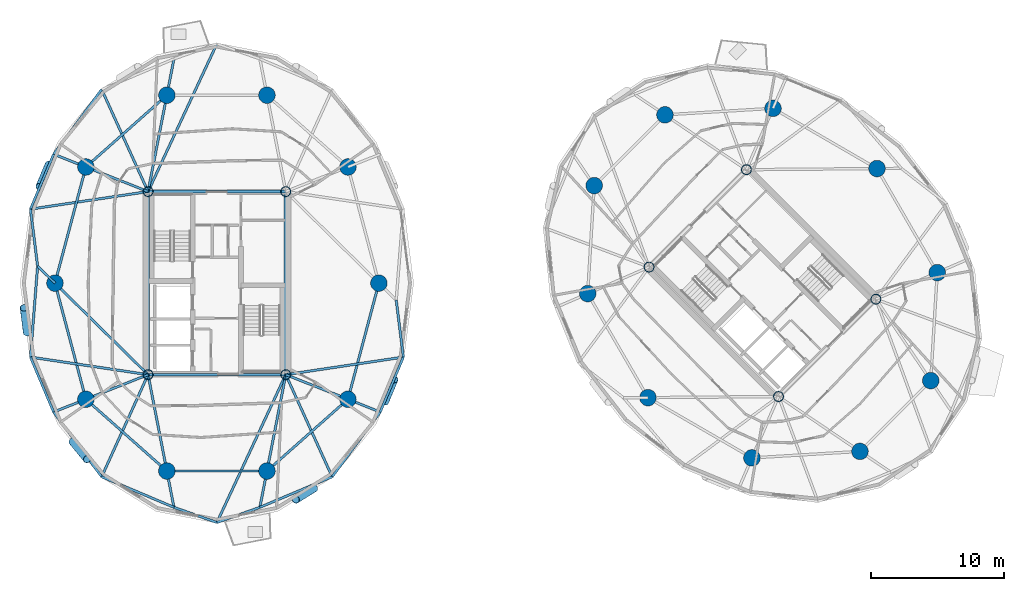
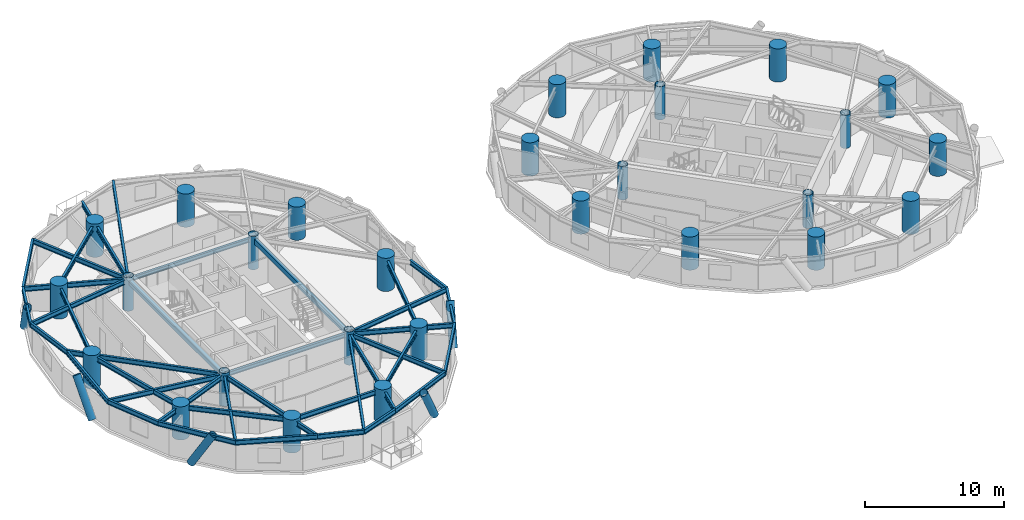
# One storey, part 1 of 17: 40 beams, 28 columns, 5 members.
"""IFC4 building model written with IfcOpenShell, lengths in metres."""

import ifcopenshell
import ifcopenshell.guid

model = None  # the IFC model being written
_history = None  # IfcOwnerHistory: only IFC2X3 demands one
_inside = {}  # id of a spatial element -> (the spatial element, [elements in it])
_under = {}  # id of a project, library or spatial element -> (it, [spatial elements below it])
_declared = {}  # id of a project -> (the project, [libraries it declares])
_typed = {}  # id of a type object -> (the type object, [elements of that type])
_made_of = {}  # id of a material, layer set ... -> (it, [elements and type objects made of it])


def new_model(schema):
    """Start an empty IFC model of exactly this schema.

    Asked for "IFC4X3", IfcOpenShell would pick the latest addendum, in which some entities
    have other attributes; the version numbers below select the first issue.
    IFC2X3 requires an IfcOwnerHistory on every rooted entity: one is made here for all.
    """
    global model, _history
    if schema == "IFC4X3":
        model = ifcopenshell.file(schema_version=(4, 3, 0, 0))
    else:
        model = ifcopenshell.file(schema=schema)
    _inside.clear()
    _under.clear()
    _declared.clear()
    _typed.clear()
    _made_of.clear()
    _history = None
    if model.schema == "IFC2X3":
        org = make("IfcOrganization", Name="unknown")
        user = make(
            "IfcPersonAndOrganization",
            ThePerson=make("IfcPerson", FamilyName="unknown"),
            TheOrganization=org,
        )
        app = make(
            "IfcApplication",
            ApplicationDeveloper=org,
            Version="unknown",
            ApplicationFullName="unknown",
            ApplicationIdentifier="unknown",
        )
        _history = make(
            "IfcOwnerHistory",
            OwningUser=user,
            OwningApplication=app,
            ChangeAction="ADDED",
            CreationDate=0,
        )
    return model


def make(cls, **values):
    """One entity of the class cls with the attributes given. An attribute that is None is left unset."""
    return model.create_entity(
        cls, **{name: value for name, value in values.items() if value is not None}
    )


def rooted(cls, **values):
    """An entity with a GlobalId (a new one), such as an element, a storey or a relation."""
    return make(cls, GlobalId=ifcopenshell.guid.new(), OwnerHistory=_history, **values)


def si_unit(unit_type, name, prefix=None):
    """IfcSIUnit, for example si_unit("LENGTHUNIT", "METRE", prefix="MILLI")."""
    return make("IfcSIUnit", UnitType=unit_type, Prefix=prefix, Name=name)


def assignment(units):
    """IfcUnitAssignment: the units of a project."""
    return None if units is None else make("IfcUnitAssignment", Units=units)


def point(xyz):
    """IfcCartesianPoint."""
    return None if xyz is None else make("IfcCartesianPoint", Coordinates=xyz)


def direction(xyz):
    """IfcDirection."""
    return None if xyz is None else make("IfcDirection", DirectionRatios=xyz)


def frame(location, z_axis=None, x_axis=None):
    """IfcAxis2Placement3D, a coordinate frame: its origin and axes. An axis left out is left unset."""
    return make(
        "IfcAxis2Placement3D",
        Location=point(location),
        Axis=direction(z_axis),
        RefDirection=direction(x_axis),
    )


def frame_2d(location, x_axis=None):
    """IfcAxis2Placement2D, a coordinate frame in the plane: its origin and x axis."""
    return make(
        "IfcAxis2Placement2D", Location=point(location), RefDirection=direction(x_axis)
    )


def origin():
    """The frame at (0, 0, 0) with its axes left unset."""
    return frame((0.0, 0.0, 0.0))


def origin_2d():
    """The frame at (0, 0) in the plane with its x axis left unset."""
    return frame_2d((0.0, 0.0))


def place(relative_to, where):
    """IfcLocalPlacement: puts the frame where relative to a parent placement (None: the world)."""
    return make(
        "IfcLocalPlacement", PlacementRelTo=relative_to, RelativePlacement=where
    )


def context(
    kind, dimensions, precision=None, world=None, true_north=None, identifier=None
):
    """IfcGeometricRepresentationContext, for example the 3D "Model" context."""
    return make(
        "IfcGeometricRepresentationContext",
        ContextIdentifier=identifier,
        ContextType=kind,
        CoordinateSpaceDimension=dimensions,
        Precision=precision,
        WorldCoordinateSystem=world,
        TrueNorth=true_north,
    )


def subcontext(parent, identifier, kind, view, scale=None):
    """IfcGeometricRepresentationSubContext, for example "Body" below "Model"."""
    return make(
        "IfcGeometricRepresentationSubContext",
        ContextIdentifier=identifier,
        ContextType=kind,
        ParentContext=parent,
        TargetScale=scale,
        TargetView=view,
    )


def project(units=None, contexts=None):
    """IfcProject with its units and contexts."""
    return rooted(
        "IfcProject",
        Name="project",
        RepresentationContexts=contexts,
        UnitsInContext=assignment(units),
    )


def spatial(cls, under=None, at=None, **own):
    """A site, building, storey or space (cls), placed at a placement, below another one or the project."""
    s = rooted(cls, ObjectPlacement=at, **own)
    if under is not None:
        _under.setdefault(under.id(), (under, []))[1].append(s)
    return s


def profile(cls, at=None, kind="AREA", **sizes):
    """A parametric profile (cls). Its sizes go by their IFC names, for example OverallWidth=200.0."""
    return make(cls, ProfileType=kind, Position=at, **sizes)


def hollow_rectangle(**sizes):
    """IfcRectangleHollowProfileDef."""
    return profile("IfcRectangleHollowProfileDef", **sizes)


def circle(**sizes):
    """IfcCircleProfileDef."""
    return profile("IfcCircleProfileDef", **sizes)


def hollow_circle(**sizes):
    """IfcCircleHollowProfileDef."""
    return profile("IfcCircleHollowProfileDef", **sizes)


def i_section(**sizes):
    """IfcIShapeProfileDef."""
    return profile("IfcIShapeProfileDef", **sizes)


def extrude(swept, where, along, depth):
    """IfcExtrudedAreaSolid: the profile swept, set in the frame where, extruded along a direction by depth."""
    return make(
        "IfcExtrudedAreaSolid",
        SweptArea=swept,
        Position=where,
        ExtrudedDirection=direction(along),
        Depth=depth,
    )


def shape(context_of_items, identifier, shape_type, items):
    """IfcShapeRepresentation: the items that make up one representation, for example the "Body"."""
    return make(
        "IfcShapeRepresentation",
        ContextOfItems=context_of_items,
        RepresentationIdentifier=identifier,
        RepresentationType=shape_type,
        Items=items,
    )


def material(Name=None, Category=None):
    """IfcMaterial."""
    return make("IfcMaterial", Name=Name, Category=Category)


def material_profile(
    of_material, cross_section, Name=None, Category=None, Priority=None
):
    """IfcMaterialProfile: a cross section and its material."""
    return make(
        "IfcMaterialProfile",
        Name=Name,
        Material=of_material,
        Profile=cross_section,
        Priority=Priority,
        Category=Category,
    )


def profile_set(profiles, Name=None, composite=None):
    """IfcMaterialProfileSet."""
    return make(
        "IfcMaterialProfileSet",
        Name=Name,
        MaterialProfiles=profiles,
        CompositeProfile=composite,
    )


def made_of(thing, what):
    """Note that an element or type object is made of a material, layer set ...; save() writes the relation."""
    if what is not None:
        _made_of.setdefault(what.id(), (what, []))[1].append(thing)
    return thing


def type_object(cls, material=None, **own):
    """A type object (cls), such as IfcWallType, which elements share."""
    return made_of(rooted(cls, **own), material)


def element(
    cls,
    number,
    at=None,
    inside=None,
    cuts=None,
    type_object=None,
    material=None,
    context=None,
    identifier="Body",
    shape_type=None,
    held_by="IfcProductDefinitionShape",
    body=None,
    shapes=None,
    **own,
):
    """One element of the class cls, such as IfcWall. Its Tag is "e" and its number.

    at: its placement. inside: the storey or other place that contains it. cuts: it is an
    opening in that element (IfcRelVoidsElement). A single representation is given by context,
    identifier, shape_type and body (its items); several are given by shapes. held_by: the class
    of the entity that holds the representations. save() writes the other relations.
    """
    e = rooted(cls, Tag="e%d" % number, ObjectPlacement=at, **own)
    if body is not None:
        shapes = [shape(context, identifier, shape_type, body)]
    if shapes is not None:
        e.Representation = make(held_by, Representations=shapes)
    if inside is not None:
        _inside.setdefault(inside.id(), (inside, []))[1].append(e)
    if cuts is not None:
        rooted(
            "IfcRelVoidsElement", RelatingBuildingElement=cuts, RelatedOpeningElement=e
        )
    if type_object is not None:
        _typed.setdefault(type_object.id(), (type_object, []))[1].append(e)
    return made_of(e, material)


def aggregate(whole, parts):
    """IfcRelAggregates: a whole, such as a stair, and the parts it consists of."""
    return rooted("IfcRelAggregates", RelatingObject=whole, RelatedObjects=parts)


def save(model, path):
    """Write the relations noted so far, then the file.

    IfcRelAggregates (storeys below a building ...), IfcRelContainedInSpatialStructure (elements
    in a storey), IfcRelDefinesByType, IfcRelAssociatesMaterial and IfcRelDeclares: one each for
    every whole, place, type object, material and project.
    """
    for whole, parts in _under.values():
        aggregate(whole, parts)
    for where, things in _inside.values():
        rooted(
            "IfcRelContainedInSpatialStructure",
            RelatedElements=things,
            RelatingStructure=where,
        )
    for kind, things in _typed.values():
        rooted("IfcRelDefinesByType", RelatedObjects=things, RelatingType=kind)
    for what, things in _made_of.values():
        rooted("IfcRelAssociatesMaterial", RelatedObjects=things, RelatingMaterial=what)
    for by, libraries in _declared.values():
        rooted("IfcRelDeclares", RelatingContext=by, RelatedDefinitions=libraries)
    model.write(path)


model = new_model("IFC4")

# Units and contexts
model_context = context("Model", 3, precision=1e-05, world=origin(), true_north=direction((0.0, 1.0)))
body_context = subcontext(model_context, "Body", "Model", "MODEL_VIEW")
ifc_project = project(units=[si_unit("LENGTHUNIT", "METRE"), si_unit("AREAUNIT", "SQUARE_METRE"), si_unit("VOLUMEUNIT", "CUBIC_METRE"), si_unit("PLANEANGLEUNIT", "RADIAN"), si_unit("MASSUNIT", "GRAM", prefix="KILO")], contexts=[model_context])

# Site, building, storey
site_placement = place(None, origin())
site = spatial("IfcSite", under=ifc_project, at=site_placement, CompositionType="ELEMENT")
building_placement = place(site_placement, origin())
building = spatial("IfcBuilding", under=site, at=building_placement, Name="Cununo Teusaquillo Station Towers", CompositionType="ELEMENT")
storey_placement = place(building_placement, frame((0.0, 0.0, 163.239990234375)))
storey = spatial("IfcBuildingStorey", under=building, at=storey_placement, Name="L51", CompositionType="ELEMENT", Elevation=163.239990234375)

# Columns
ifc_material_1 = material(Name="Steel EN 10025-2 S355J2", Category="steel")
ifc_material_profile_1 = material_profile(ifc_material_1, hollow_circle(Radius=0.3798828125, WallThickness=0.031982421875, at=origin_2d()), Name="CHS 760x32")
ifc_profile_set_1 = profile_set([ifc_material_profile_1], Name="Steel EN 10025-2 S355J2")
column_type_1 = type_object("IfcColumnType", Name="COL-CORE-Z2", PredefinedType="COLUMN", material=ifc_profile_set_1)
for number, where, z_axis, x_axis, name in (
    (1, (11.324951171875, 17.6201171875, 0.0), (0.0, 0.0, 1.0), (1.0, 0.0, 0.0), "L51 Tower A Core Column 1"),
    (2, (11.324951171875, 31.3798828125, 0.0), (0.0, 0.0, 1.0), (1.0, 0.0, 0.0), "L51 Tower A Core Column 2"),
    (3, (21.675048828125, 17.6201171875, 0.0), (0.0, 0.0, 1.0), (1.0, 0.0, 0.0), "L51 Tower A Core Column 3"),
    (4, (21.675048828125, 31.3798828125, 0.0), (0.0, 0.0, 1.0), (1.0, 0.0, 0.0), "L51 Tower A Core Column 4"),
    (5, (58.70556640625, 15.975830078125, 0.0), (0.0, 0.0, 1.0), (0.707106781187, 0.707106781187, 0.0), "L51 Tower B Core Column 1"),
    (6, (48.975830078125, 25.70556640625, 0.0), (0.0, 0.0, 1.0), (0.707106781187, 0.707106781187, 0.0), "L51 Tower B Core Column 2"),
    (7, (66.024169921875, 23.29443359375, 0.0), (0.0, 0.0, 1.0), (0.707106781187, 0.707106781187, 0.0), "L51 Tower B Core Column 3"),
    (8, (56.29443359375, 33.024169921875, 0.0), (0.0, 0.0, 1.0), (0.707106781187, 0.707106781187, 0.0), "L51 Tower B Core Column 4"),
):
    element("IfcColumn", number, at=place(storey_placement, frame(where, z_axis=z_axis, x_axis=x_axis)), inside=storey, type_object=column_type_1, Name=name, PredefinedType="COLUMN", context=body_context, shape_type="SweptSolid", body=[
        extrude(hollow_circle(Radius=0.3798828125, WallThickness=0.031982421875, at=origin_2d()), origin(), (0.0, 0.0, 1.0), 2.909912109375),
    ])
ifc_material_2 = material(Name="Concrete C60/75", Category="concrete")
ifc_material_profile_2 = material_profile(ifc_material_2, circle(Radius=0.625, at=origin_2d()), Name="RC-CIRC-1250")
ifc_profile_set_2 = profile_set([ifc_material_profile_2], Name="Concrete C60/75")
column_type_2 = type_object("IfcColumnType", Name="COL-MEGA-Z3", PredefinedType="USERDEFINED", material=ifc_profile_set_2)
for number, where, z_axis, x_axis, name in (
    (9, (28.672119140625, 24.5, 0.0), (0.0, 0.0, 1.0), (1.0, 0.0, 0.0), "L51 Tower A Perimeter Column V00"),
    (10, (26.347412109375, 33.228515625, 0.0), (0.0, 0.0, 1.0), (1.0, 0.0, 0.0), "L51 Tower A Perimeter Column V02"),
    (11, (20.261474609375, 38.623291015625, 0.0), (0.0, 0.0, 1.0), (1.0, 0.0, 0.0), "L51 Tower A Perimeter Column V04"),
    (12, (12.738525390625, 38.623291015625, 0.0), (0.0, 0.0, 1.0), (1.0, 0.0, 0.0), "L51 Tower A Perimeter Column V06"),
    (13, (6.652587890625, 33.228515625, 0.0), (0.0, 0.0, 1.0), (1.0, 0.0, 0.0), "L51 Tower A Perimeter Column V08"),
    (14, (4.327880859375, 24.5, 0.0), (0.0, 0.0, 1.0), (1.0, 0.0, 0.0), "L51 Tower A Perimeter Column V10"),
    (15, (6.652587890625, 15.771484375, 0.0), (0.0, 0.0, 1.0), (1.0, 0.0, 0.0), "L51 Tower A Perimeter Column V12"),
    (16, (12.738525390625, 10.376708984375, 0.0), (0.0, 0.0, 1.0), (1.0, 0.0, 0.0), "L51 Tower A Perimeter Column V14"),
    (17, (20.261474609375, 10.376708984375, 0.0), (0.0, 0.0, 1.0), (1.0, 0.0, 0.0), "L51 Tower A Perimeter Column V16"),
    (18, (26.347412109375, 15.771484375, 0.0), (0.0, 0.0, 1.0), (1.0, 0.0, 0.0), "L51 Tower A Perimeter Column V18"),
    (19, (66.10693359375, 33.10693359375, 0.0), (0.0, 0.0, 1.0), (1.0, 0.0, 0.0), "L51 Tower B Perimeter Column V00"),
    (20, (58.291015625, 37.63525390625, 0.0), (0.0, 0.0, 1.0), (1.0, 0.0, 0.0), "L51 Tower B Perimeter Column V02"),
    (21, (50.173095703125, 37.146240234375, 0.0), (0.0, 0.0, 1.0), (1.0, 0.0, 0.0), "L51 Tower B Perimeter Column V04"),
    (22, (44.853759765625, 31.826904296875, 0.0), (0.0, 0.0, 1.0), (1.0, 0.0, 0.0), "L51 Tower B Perimeter Column V06"),
    (23, (44.36474609375, 23.708984375, 0.0), (0.0, 0.0, 1.0), (1.0, 0.0, 0.0), "L51 Tower B Perimeter Column V08"),
    (24, (48.89306640625, 15.89306640625, 0.0), (0.0, 0.0, 1.0), (1.0, 0.0, 0.0), "L51 Tower B Perimeter Column V10"),
    (25, (56.708984375, 11.36474609375, 0.0), (0.0, 0.0, 1.0), (1.0, 0.0, 0.0), "L51 Tower B Perimeter Column V12"),
    (26, (64.826904296875, 11.853759765625, 0.0), (0.0, 0.0, 1.0), (1.0, 0.0, 0.0), "L51 Tower B Perimeter Column V14"),
    (27, (70.146240234375, 17.173095703125, 0.0), (0.0, 0.0, 1.0), (1.0, 0.0, 0.0), "L51 Tower B Perimeter Column V16"),
    (28, (70.63525390625, 25.291015625, 0.0), (0.0, 0.0, 1.0), (1.0, 0.0, 0.0), "L51 Tower B Perimeter Column V18"),
):
    element("IfcColumn", number, at=place(storey_placement, frame(where, z_axis=z_axis, x_axis=x_axis)), inside=storey, type_object=column_type_2, Name=name, ObjectType="MEGA COLUMN", PredefinedType="USERDEFINED", context=body_context, shape_type="SweptSolid", body=[
        extrude(circle(Radius=0.625, at=origin_2d()), origin(), (0.0, 0.0, 1.0), 2.909912109375),
    ])

# Beams
ifc_material_3 = material(Name="Steel EN 10025-2 S355J2", Category="steel")
ifc_material_profile_3 = material_profile(ifc_material_3, hollow_rectangle(XDim=0.25, YDim=0.449951171875, WallThickness=0.01611328125, at=origin_2d()), Name="RHS 450x250x16")
ifc_profile_set_3 = profile_set([ifc_material_profile_3], Name="Steel EN 10025-2 S355J2")
beam_type_1 = type_object("IfcBeamType", Name="BM-COUP-1", PredefinedType="USERDEFINED", material=ifc_profile_set_3)
for number, where, z_axis, x_axis, name in (
    (29, (11.324951171875, 17.6201171875, 2.465087890625), (0.0, 1.0, 0.0), (-1.0, 0.0, 0.0), "L51 Tower A Core Beam 1"),
    (30, (21.675048828125, 17.6201171875, 2.465087890625), (0.0, 1.0, 0.0), (-1.0, 0.0, 0.0), "L51 Tower A Core Beam 2"),
):
    element("IfcBeam", number, at=place(storey_placement, frame(where, z_axis=z_axis, x_axis=x_axis)), inside=storey, type_object=beam_type_1, Name=name, ObjectType="COUPLING BEAM", PredefinedType="USERDEFINED", context=body_context, shape_type="SweptSolid", body=[
        extrude(hollow_rectangle(XDim=0.25, YDim=0.449951171875, WallThickness=0.01611328125, at=origin_2d()), origin(), (0.0, 0.0, 1.0), 13.759765625),
    ])
ifc_material_4 = material(Name="Steel ASTM A572 Grade 50", Category="steel")
ifc_material_profile_4 = material_profile(ifc_material_4, i_section(OverallWidth=0.180908203125, OverallDepth=0.4169921875, WebThickness=0.010986328125, FlangeThickness=0.018310546875, FilletRadius=0.012939453125, at=origin_2d()), Name="W16X57")
ifc_profile_set_4 = profile_set([ifc_material_profile_4], Name="Steel ASTM A572 Grade 50")
beam_type_2 = type_object("IfcBeamType", Name="BM-JOIST-1", PredefinedType="JOIST", material=ifc_profile_set_4)
beam_1_placement = place(storey_placement, frame((11.324951171875, 31.3798828125, 2.4814453125), z_axis=(0.422237603969, 0.906485193368, 0.0), x_axis=(-0.906485193368, 0.422237603969, 0.0)))
element("IfcBeam", 31, at=beam_1_placement, inside=storey, type_object=beam_type_2, Name="L51 Tower A Radial Spandrel Joist V05", PredefinedType="JOIST", context=body_context, shape_type="SweptSolid", body=[
    extrude(i_section(OverallWidth=0.180908203125, OverallDepth=0.4169921875, WebThickness=0.010986328125, FlangeThickness=0.018310546875, FilletRadius=0.012939453125, at=origin_2d()), origin(), (0.0, 0.0, 1.0), 12.25634765625),
])
beam_2_placement = place(storey_placement, frame((11.324951171875, 31.3798828125, 2.4814453125), z_axis=(-0.413558514621, 0.910477542274, 0.0), x_axis=(-0.910477542274, -0.413558514621, 0.0)))
element("IfcBeam", 32, at=beam_2_placement, inside=storey, type_object=beam_type_2, Name="L51 Tower A Radial Spandrel Joist V07", PredefinedType="JOIST", context=body_context, shape_type="SweptSolid", body=[
    extrude(i_section(OverallWidth=0.180908203125, OverallDepth=0.4169921875, WebThickness=0.010986328125, FlangeThickness=0.018310546875, FilletRadius=0.012939453125, at=origin_2d()), origin(), (0.0, 0.0, 1.0), 8.428955078125),
])
for number, where, z_axis, x_axis, name in (
    (33, (11.324951171875, 31.3798828125, 2.4814453125), (-0.989018754675, -0.147790063606, 0.0), (0.147790063606, -0.989018754675, 0.0), "L51 Tower A Radial Spandrel Joist V09"),
    (34, (11.324951171875, 17.6201171875, 2.4814453125), (-0.989018754675, 0.147790063606, 0.0), (-0.147790063606, -0.989018754675, 0.0), "L51 Tower A Radial Spandrel Joist V11"),
):
    element("IfcBeam", number, at=place(storey_placement, frame(where, z_axis=z_axis, x_axis=x_axis)), inside=storey, type_object=beam_type_2, Name=name, PredefinedType="JOIST", context=body_context, shape_type="SweptSolid", body=[
        extrude(i_section(OverallWidth=0.180908203125, OverallDepth=0.4169921875, WebThickness=0.010986328125, FlangeThickness=0.018310546875, FilletRadius=0.012939453125, at=origin_2d()), origin(), (0.0, 0.0, 1.0), 8.93701171875),
    ])
beam_3_placement = place(storey_placement, frame((11.324951171875, 17.6201171875, 2.4814453125), z_axis=(-0.413558514621, -0.910477542274, 0.0), x_axis=(0.910477542274, -0.413558514621, 0.0)))
element("IfcBeam", 35, at=beam_3_placement, inside=storey, type_object=beam_type_2, Name="L51 Tower A Radial Spandrel Joist V13", PredefinedType="JOIST", context=body_context, shape_type="SweptSolid", body=[
    extrude(i_section(OverallWidth=0.180908203125, OverallDepth=0.4169921875, WebThickness=0.010986328125, FlangeThickness=0.018310546875, FilletRadius=0.012939453125, at=origin_2d()), origin(), (0.0, 0.0, 1.0), 8.428955078125),
])
beam_4_placement = place(storey_placement, frame((21.675048828125, 17.6201171875, 2.4814453125), z_axis=(-0.422237603969, -0.906485193368, 0.0), x_axis=(0.906485193368, -0.422237603969, 0.0)))
element("IfcBeam", 36, at=beam_4_placement, inside=storey, type_object=beam_type_2, Name="L51 Tower A Radial Spandrel Joist V15", PredefinedType="JOIST", context=body_context, shape_type="SweptSolid", body=[
    extrude(i_section(OverallWidth=0.180908203125, OverallDepth=0.4169921875, WebThickness=0.010986328125, FlangeThickness=0.018310546875, FilletRadius=0.012939453125, at=origin_2d()), origin(), (0.0, 0.0, 1.0), 12.25634765625),
])
beam_5_placement = place(storey_placement, frame((21.675048828125, 17.6201171875, 2.4814453125), z_axis=(0.413558514621, -0.910477542274, 0.0), x_axis=(0.910477542274, 0.413558514621, 0.0)))
element("IfcBeam", 37, at=beam_5_placement, inside=storey, type_object=beam_type_2, Name="L51 Tower A Radial Spandrel Joist V17", PredefinedType="JOIST", context=body_context, shape_type="SweptSolid", body=[
    extrude(i_section(OverallWidth=0.180908203125, OverallDepth=0.4169921875, WebThickness=0.010986328125, FlangeThickness=0.018310546875, FilletRadius=0.012939453125, at=origin_2d()), origin(), (0.0, 0.0, 1.0), 8.428955078125),
])
beam_6_placement = place(storey_placement, frame((21.675048828125, 17.6201171875, 2.4814453125), z_axis=(0.989018754675, 0.147790063606, 0.0), x_axis=(-0.147790063606, 0.989018754675, 0.0)))
element("IfcBeam", 38, at=beam_6_placement, inside=storey, type_object=beam_type_2, Name="L51 Tower A Radial Spandrel Joist V19", PredefinedType="JOIST", context=body_context, shape_type="SweptSolid", body=[
    extrude(i_section(OverallWidth=0.180908203125, OverallDepth=0.4169921875, WebThickness=0.010986328125, FlangeThickness=0.018310546875, FilletRadius=0.012939453125, at=origin_2d()), origin(), (0.0, 0.0, 1.0), 8.93701171875),
])
ifc_material_5 = material(Name="Steel ASTM A572 Grade 50", Category="steel")
ifc_material_profile_5 = material_profile(ifc_material_5, i_section(OverallWidth=0.2041015625, OverallDepth=0.35009765625, WebThickness=0.008544921875, FlangeThickness=0.01513671875, FilletRadius=0.011962890625, at=origin_2d()), Name="W14X48")
ifc_profile_set_5 = profile_set([ifc_material_profile_5], Name="Steel ASTM A572 Grade 50")
beam_type_3 = type_object("IfcBeamType", Name="BM-LINTEL-1", PredefinedType="LINTEL", material=ifc_profile_set_5)
for number, where, z_axis, x_axis, name in (
    (39, (11.324951171875, 17.6201171875, 2.514892578125), (1.0, 0.0, 0.0), (0.0, 1.0, 0.0), "L51 Tower A Core Beam 3"),
    (40, (11.324951171875, 31.3798828125, 2.514892578125), (1.0, 0.0, 0.0), (0.0, 1.0, 0.0), "L51 Tower A Core Beam 4"),
):
    element("IfcBeam", number, at=place(storey_placement, frame(where, z_axis=z_axis, x_axis=x_axis)), inside=storey, type_object=beam_type_3, Name=name, PredefinedType="LINTEL", context=body_context, shape_type="SweptSolid", body=[
        extrude(i_section(OverallWidth=0.2041015625, OverallDepth=0.35009765625, WebThickness=0.008544921875, FlangeThickness=0.01513671875, FilletRadius=0.011962890625, at=origin_2d()), origin(), (0.0, 0.0, 1.0), 10.35009765625),
    ])
ifc_material_6 = material(Name="Steel ASTM A572 Grade 50", Category="steel")
ifc_material_profile_6 = material_profile(ifc_material_6, i_section(OverallWidth=0.180908203125, OverallDepth=0.4169921875, WebThickness=0.010986328125, FlangeThickness=0.018310546875, FilletRadius=0.012939453125, at=origin_2d()), Name="W16X57")
ifc_profile_set_6 = profile_set([ifc_material_profile_6], Name="Steel ASTM A572 Grade 50")
beam_type_4 = type_object("IfcBeamType", Name="BM-RAD-G2", PredefinedType="BEAM", material=ifc_profile_set_6)
beam_7_placement = place(storey_placement, frame((11.324951171875, 31.3798828125, 2.4814453125), z_axis=(0.191552706487, 0.981482328235, 0.0), x_axis=(-0.981482328235, 0.191552706487, 0.0)))
element("IfcBeam", 41, at=beam_7_placement, inside=storey, type_object=beam_type_4, Name="L51 Tower A Continuous Overhanging Radial Girder 04", PredefinedType="BEAM", context=body_context, shape_type="SweptSolid", body=[
    extrude(i_section(OverallWidth=0.180908203125, OverallDepth=0.4169921875, WebThickness=0.010986328125, FlangeThickness=0.018310546875, FilletRadius=0.012939453125, at=origin_2d()), origin(), (0.0, 0.0, 1.0), 10.159423828125),
])
beam_8_placement = place(storey_placement, frame((11.324951171875, 31.3798828125, 2.4814453125), z_axis=(-0.929862250459, 0.367907862341, 0.0), x_axis=(-0.367907862341, -0.929862250459, 0.0)))
element("IfcBeam", 42, at=beam_8_placement, inside=storey, type_object=beam_type_4, Name="L51 Tower A Continuous Overhanging Radial Girder 05", PredefinedType="BEAM", context=body_context, shape_type="SweptSolid", body=[
    extrude(i_section(OverallWidth=0.180908203125, OverallDepth=0.4169921875, WebThickness=0.010986328125, FlangeThickness=0.018310546875, FilletRadius=0.012939453125, at=origin_2d()), origin(), (0.0, 0.0, 1.0), 7.632080078125),
])
beam_9_placement = place(storey_placement, frame((11.324951171875, 17.6201171875, 2.4814453125), z_axis=(-0.713052701438, 0.701110437073, 0.0), x_axis=(-0.701110437073, -0.713052701438, 0.0)))
element("IfcBeam", 43, at=beam_9_placement, inside=storey, type_object=beam_type_4, Name="L51 Tower A Radial Girder 06A", PredefinedType="BEAM", context=body_context, shape_type="SweptSolid", body=[
    extrude(i_section(OverallWidth=0.180908203125, OverallDepth=0.4169921875, WebThickness=0.010986328125, FlangeThickness=0.018310546875, FilletRadius=0.012939453125, at=origin_2d()), origin(), (0.0, 0.0, 1.0), 9.812744140625),
])
beam_10_placement = place(storey_placement, frame((4.327880859375, 24.5, 2.4814453125), z_axis=(-0.713027019349, 0.701136555657, 0.0), x_axis=(-0.701136555657, -0.713027019349, 0.0)))
element("IfcBeam", 44, at=beam_10_placement, inside=storey, type_object=beam_type_4, Name="L51 Tower A Perimeter Overhang Girder 06B", PredefinedType="BEAM", context=body_context, shape_type="SweptSolid", body=[
    extrude(i_section(OverallWidth=0.180908203125, OverallDepth=0.4169921875, WebThickness=0.010986328125, FlangeThickness=0.018310546875, FilletRadius=0.012939453125, at=origin_2d()), origin(), (0.0, 0.0, 1.0), 1.827392578125),
])
beam_11_placement = place(storey_placement, frame((11.324951171875, 17.6201171875, 2.4814453125), z_axis=(-0.929862250459, -0.367907862341, 0.0), x_axis=(0.367907862341, -0.929862250459, 0.0)))
element("IfcBeam", 45, at=beam_11_placement, inside=storey, type_object=beam_type_4, Name="L51 Tower A Continuous Overhanging Radial Girder 07", PredefinedType="BEAM", context=body_context, shape_type="SweptSolid", body=[
    extrude(i_section(OverallWidth=0.180908203125, OverallDepth=0.4169921875, WebThickness=0.010986328125, FlangeThickness=0.018310546875, FilletRadius=0.012939453125, at=origin_2d()), origin(), (0.0, 0.0, 1.0), 7.632080078125),
])
for number, where, z_axis, x_axis, name in (
    (46, (11.324951171875, 17.6201171875, 2.4814453125), (0.191552706487, -0.981482328235, 0.0), (0.981482328235, 0.191552706487, 0.0), "L51 Tower A Continuous Overhanging Radial Girder 08"),
    (47, (21.675048828125, 17.6201171875, 2.4814453125), (-0.191552706487, -0.981482328235, 0.0), (0.981482328235, -0.191552706487, 0.0), "L51 Tower A Continuous Overhanging Radial Girder 09"),
):
    element("IfcBeam", number, at=place(storey_placement, frame(where, z_axis=z_axis, x_axis=x_axis)), inside=storey, type_object=beam_type_4, Name=name, PredefinedType="BEAM", context=body_context, shape_type="SweptSolid", body=[
        extrude(i_section(OverallWidth=0.180908203125, OverallDepth=0.4169921875, WebThickness=0.010986328125, FlangeThickness=0.018310546875, FilletRadius=0.012939453125, at=origin_2d()), origin(), (0.0, 0.0, 1.0), 10.159423828125),
    ])
beam_12_placement = place(storey_placement, frame((21.675048828125, 17.6201171875, 2.4814453125), z_axis=(0.929862250459, -0.367907862341, 0.0), x_axis=(0.367907862341, 0.929862250459, 0.0)))
element("IfcBeam", 48, at=beam_12_placement, inside=storey, type_object=beam_type_4, Name="L51 Tower A Continuous Overhanging Radial Girder 10", PredefinedType="BEAM", context=body_context, shape_type="SweptSolid", body=[
    extrude(i_section(OverallWidth=0.180908203125, OverallDepth=0.4169921875, WebThickness=0.010986328125, FlangeThickness=0.018310546875, FilletRadius=0.012939453125, at=origin_2d()), origin(), (0.0, 0.0, 1.0), 7.632080078125),
])
ifc_material_7 = material(Name="Steel ASTM A572 Grade 50", Category="steel")
ifc_material_profile_7 = material_profile(ifc_material_7, i_section(OverallWidth=0.180908203125, OverallDepth=0.4169921875, WebThickness=0.010986328125, FlangeThickness=0.018310546875, FilletRadius=0.012939453125, at=origin_2d()), Name="W16X57")
ifc_profile_set_7 = profile_set([ifc_material_profile_7], Name="Steel ASTM A572 Grade 50")
beam_type_5 = type_object("IfcBeamType", Name="BM-RING-Z3", PredefinedType="SPANDREL", material=ifc_profile_set_7)
beam_13_placement = place(storey_placement, frame((12.738525390625, 38.623291015625, 2.4814453125), z_axis=(-0.74832120039, -0.66333655187, 0.0), x_axis=(0.66333655187, -0.74832120039, 0.0)))
element("IfcBeam", 49, at=beam_13_placement, inside=storey, type_object=beam_type_5, Name="L51 Tower A Structural Column Ring Girder 04", PredefinedType="SPANDREL", context=body_context, shape_type="SweptSolid", body=[
    extrude(i_section(OverallWidth=0.180908203125, OverallDepth=0.4169921875, WebThickness=0.010986328125, FlangeThickness=0.018310546875, FilletRadius=0.012939453125, at=origin_2d()), origin(), (0.0, 0.0, 1.0), 8.1328125),
])
for number, where, z_axis, x_axis, name in (
    (50, (6.652587890625, 33.228515625, 2.4814453125), (-0.257363196347, -0.966314744359, 0.0), (0.966314744359, -0.257363196347, 0.0), "L51 Tower A Structural Column Ring Girder 05"),
    (51, (4.327880859375, 24.5, 2.4814453125), (0.257363196347, -0.966314744359, 0.0), (0.966314744359, 0.257363196347, 0.0), "L51 Tower A Structural Column Ring Girder 06"),
):
    element("IfcBeam", number, at=place(storey_placement, frame(where, z_axis=z_axis, x_axis=x_axis)), inside=storey, type_object=beam_type_5, Name=name, PredefinedType="SPANDREL", context=body_context, shape_type="SweptSolid", body=[
        extrude(i_section(OverallWidth=0.180908203125, OverallDepth=0.4169921875, WebThickness=0.010986328125, FlangeThickness=0.018310546875, FilletRadius=0.012939453125, at=origin_2d()), origin(), (0.0, 0.0, 1.0), 9.03271484375),
    ])
beam_14_placement = place(storey_placement, frame((6.652587890625, 15.771484375, 2.4814453125), z_axis=(0.74832120039, -0.66333655187, 0.0), x_axis=(0.66333655187, 0.74832120039, 0.0)))
element("IfcBeam", 52, at=beam_14_placement, inside=storey, type_object=beam_type_5, Name="L51 Tower A Structural Column Ring Girder 07", PredefinedType="SPANDREL", context=body_context, shape_type="SweptSolid", body=[
    extrude(i_section(OverallWidth=0.180908203125, OverallDepth=0.4169921875, WebThickness=0.010986328125, FlangeThickness=0.018310546875, FilletRadius=0.012939453125, at=origin_2d()), origin(), (0.0, 0.0, 1.0), 8.1328125),
])
beam_15_placement = place(storey_placement, frame((12.738525390625, 10.376708984375, 2.4814453125), z_axis=(1.0, 0.0, 0.0), x_axis=(0.0, 1.0, 0.0)))
element("IfcBeam", 53, at=beam_15_placement, inside=storey, type_object=beam_type_5, Name="L51 Tower A Structural Column Ring Girder 08", PredefinedType="SPANDREL", context=body_context, shape_type="SweptSolid", body=[
    extrude(i_section(OverallWidth=0.180908203125, OverallDepth=0.4169921875, WebThickness=0.010986328125, FlangeThickness=0.018310546875, FilletRadius=0.012939453125, at=origin_2d()), origin(), (0.0, 0.0, 1.0), 7.52294921875),
])
beam_16_placement = place(storey_placement, frame((20.261474609375, 10.376708984375, 2.4814453125), z_axis=(0.74832120039, 0.66333655187, 0.0), x_axis=(-0.66333655187, 0.74832120039, 0.0)))
element("IfcBeam", 54, at=beam_16_placement, inside=storey, type_object=beam_type_5, Name="L51 Tower A Structural Column Ring Girder 09", PredefinedType="SPANDREL", context=body_context, shape_type="SweptSolid", body=[
    extrude(i_section(OverallWidth=0.180908203125, OverallDepth=0.4169921875, WebThickness=0.010986328125, FlangeThickness=0.018310546875, FilletRadius=0.012939453125, at=origin_2d()), origin(), (0.0, 0.0, 1.0), 8.1328125),
])
beam_17_placement = place(storey_placement, frame((26.347412109375, 15.771484375, 2.4814453125), z_axis=(0.257363196347, 0.966314744359, 0.0), x_axis=(-0.966314744359, 0.257363196347, 0.0)))
element("IfcBeam", 55, at=beam_17_placement, inside=storey, type_object=beam_type_5, Name="L51 Tower A Structural Column Ring Girder 10", PredefinedType="SPANDREL", context=body_context, shape_type="SweptSolid", body=[
    extrude(i_section(OverallWidth=0.180908203125, OverallDepth=0.4169921875, WebThickness=0.010986328125, FlangeThickness=0.018310546875, FilletRadius=0.012939453125, at=origin_2d()), origin(), (0.0, 0.0, 1.0), 9.03271484375),
])
beam_18_placement = place(storey_placement, frame((7.839111328125, 39.05419921875, 2.4814453125), z_axis=(-0.595872908853, -0.803078748626, 0.0), x_axis=(0.803078748626, -0.595872908853, 0.0)))
element("IfcBeam", 56, at=beam_18_placement, inside=storey, type_object=beam_type_5, Name="L51 Tower A Spandrel Ring Beam 08", PredefinedType="SPANDREL", context=body_context, shape_type="SweptSolid", body=[
    extrude(i_section(OverallWidth=0.180908203125, OverallDepth=0.4169921875, WebThickness=0.010986328125, FlangeThickness=0.018310546875, FilletRadius=0.012939453125, at=origin_2d()), origin(), (0.0, 0.0, 1.0), 6.059814453125),
])
beam_19_placement = place(storey_placement, frame((4.228271484375, 34.187744140625, 2.4814453125), z_axis=(-0.388777827816, -0.921331536744, 0.0), x_axis=(0.921331536744, -0.388777827816, 0.0)))
element("IfcBeam", 57, at=beam_19_placement, inside=storey, type_object=beam_type_5, Name="L51 Tower A Spandrel Ring Beam 09", PredefinedType="SPANDREL", context=body_context, shape_type="SweptSolid", body=[
    extrude(i_section(OverallWidth=0.180908203125, OverallDepth=0.4169921875, WebThickness=0.010986328125, FlangeThickness=0.018310546875, FilletRadius=0.012939453125, at=origin_2d()), origin(), (0.0, 0.0, 1.0), 4.481201171875),
])
beam_20_placement = place(storey_placement, frame((2.486083984375, 30.05908203125, 2.4814453125), z_axis=(0.124968535363, -0.992160705314, 0.0), x_axis=(0.992160705314, 0.124968535363, 0.0)))
element("IfcBeam", 58, at=beam_20_placement, inside=storey, type_object=beam_type_5, Name="L51 Tower A Spandrel Ring Beam 10", PredefinedType="SPANDREL", context=body_context, shape_type="SweptSolid", body=[
    extrude(i_section(OverallWidth=0.180908203125, OverallDepth=0.4169921875, WebThickness=0.010986328125, FlangeThickness=0.018310546875, FilletRadius=0.012939453125, at=origin_2d()), origin(), (0.0, 0.0, 1.0), 4.3115234375),
])
beam_21_placement = place(storey_placement, frame((3.02490234375, 25.78125, 2.4814453125), z_axis=(-0.078527541639, -0.996911944559, 0.0), x_axis=(0.996911944559, -0.078527541639, 0.0)))
element("IfcBeam", 59, at=beam_21_placement, inside=storey, type_object=beam_type_5, Name="L51 Tower A Spandrel Ring Beam 11", PredefinedType="SPANDREL", context=body_context, shape_type="SweptSolid", body=[
    extrude(i_section(OverallWidth=0.180908203125, OverallDepth=0.4169921875, WebThickness=0.010986328125, FlangeThickness=0.018310546875, FilletRadius=0.012939453125, at=origin_2d()), origin(), (0.0, 0.0, 1.0), 6.861572265625),
])
beam_22_placement = place(storey_placement, frame((2.486083984375, 18.94091796875, 2.4814453125), z_axis=(0.388777827816, -0.921331536744, 0.0), x_axis=(0.921331536744, 0.388777827816, 0.0)))
element("IfcBeam", 60, at=beam_22_placement, inside=storey, type_object=beam_type_5, Name="L51 Tower A Spandrel Ring Beam 12", PredefinedType="SPANDREL", context=body_context, shape_type="SweptSolid", body=[
    extrude(i_section(OverallWidth=0.180908203125, OverallDepth=0.4169921875, WebThickness=0.010986328125, FlangeThickness=0.018310546875, FilletRadius=0.012939453125, at=origin_2d()), origin(), (0.0, 0.0, 1.0), 4.481201171875),
])
beam_23_placement = place(storey_placement, frame((4.228271484375, 14.812255859375, 2.4814453125), z_axis=(0.595872908853, -0.803078748626, 0.0), x_axis=(0.803078748626, 0.595872908853, 0.0)))
element("IfcBeam", 61, at=beam_23_placement, inside=storey, type_object=beam_type_5, Name="L51 Tower A Spandrel Ring Beam 13", PredefinedType="SPANDREL", context=body_context, shape_type="SweptSolid", body=[
    extrude(i_section(OverallWidth=0.180908203125, OverallDepth=0.4169921875, WebThickness=0.010986328125, FlangeThickness=0.018310546875, FilletRadius=0.012939453125, at=origin_2d()), origin(), (0.0, 0.0, 1.0), 6.059814453125),
])
beam_24_placement = place(storey_placement, frame((7.839111328125, 9.94580078125, 2.4814453125), z_axis=(0.921042081118, -0.38946307246, 0.0), x_axis=(0.38946307246, 0.921042081118, 0.0)))
element("IfcBeam", 62, at=beam_24_placement, inside=storey, type_object=beam_type_5, Name="L51 Tower A Spandrel Ring Beam 14", PredefinedType="SPANDREL", context=body_context, shape_type="SweptSolid", body=[
    extrude(i_section(OverallWidth=0.180908203125, OverallDepth=0.4169921875, WebThickness=0.010986328125, FlangeThickness=0.018310546875, FilletRadius=0.012939453125, at=origin_2d()), origin(), (0.0, 0.0, 1.0), 5.8974609375),
])
for number, where, z_axis, x_axis, name in (
    (63, (13.27099609375, 7.64892578125, 2.4814453125), (0.943057449198, -0.332629895698, 0.0), (0.332629895698, 0.943057449198, 0.0), "L51 Tower A Spandrel Ring Beam 15"),
    (64, (16.5, 6.510009765625, 2.4814453125), (0.943057449198, 0.332629895698, 0.0), (-0.332629895698, 0.943057449198, 0.0), "L51 Tower A Spandrel Ring Beam 16"),
):
    element("IfcBeam", number, at=place(storey_placement, frame(where, z_axis=z_axis, x_axis=x_axis)), inside=storey, type_object=beam_type_5, Name=name, PredefinedType="SPANDREL", context=body_context, shape_type="SweptSolid", body=[
        extrude(i_section(OverallWidth=0.180908203125, OverallDepth=0.4169921875, WebThickness=0.010986328125, FlangeThickness=0.018310546875, FilletRadius=0.012939453125, at=origin_2d()), origin(), (0.0, 0.0, 1.0), 3.424072265625),
    ])
beam_25_placement = place(storey_placement, frame((19.72900390625, 7.64892578125, 2.4814453125), z_axis=(0.921042081118, 0.38946307246, 0.0), x_axis=(-0.38946307246, 0.921042081118, 0.0)))
element("IfcBeam", 65, at=beam_25_placement, inside=storey, type_object=beam_type_5, Name="L51 Tower A Spandrel Ring Beam 17", PredefinedType="SPANDREL", context=body_context, shape_type="SweptSolid", body=[
    extrude(i_section(OverallWidth=0.180908203125, OverallDepth=0.4169921875, WebThickness=0.010986328125, FlangeThickness=0.018310546875, FilletRadius=0.012939453125, at=origin_2d()), origin(), (0.0, 0.0, 1.0), 5.8974609375),
])
beam_26_placement = place(storey_placement, frame((25.160888671875, 9.94580078125, 2.4814453125), z_axis=(0.595872908853, 0.803078748626, 0.0), x_axis=(-0.803078748626, 0.595872908853, 0.0)))
element("IfcBeam", 66, at=beam_26_placement, inside=storey, type_object=beam_type_5, Name="L51 Tower A Spandrel Ring Beam 18", PredefinedType="SPANDREL", context=body_context, shape_type="SweptSolid", body=[
    extrude(i_section(OverallWidth=0.180908203125, OverallDepth=0.4169921875, WebThickness=0.010986328125, FlangeThickness=0.018310546875, FilletRadius=0.012939453125, at=origin_2d()), origin(), (0.0, 0.0, 1.0), 6.059814453125),
])
beam_27_placement = place(storey_placement, frame((28.771728515625, 14.812255859375, 2.4814453125), z_axis=(0.388777827816, 0.921331536744, 0.0), x_axis=(-0.921331536744, 0.388777827816, 0.0)))
element("IfcBeam", 67, at=beam_27_placement, inside=storey, type_object=beam_type_5, Name="L51 Tower A Spandrel Ring Beam 19", PredefinedType="SPANDREL", context=body_context, shape_type="SweptSolid", body=[
    extrude(i_section(OverallWidth=0.180908203125, OverallDepth=0.4169921875, WebThickness=0.010986328125, FlangeThickness=0.018310546875, FilletRadius=0.012939453125, at=origin_2d()), origin(), (0.0, 0.0, 1.0), 4.481201171875),
])
beam_28_placement = place(storey_placement, frame((30.513916015625, 18.94091796875, 2.4814453125), z_axis=(-0.124968535363, 0.992160705314, 0.0), x_axis=(-0.992160705314, -0.124968535363, 0.0)))
element("IfcBeam", 68, at=beam_28_placement, inside=storey, type_object=beam_type_5, Name="L51 Tower A Spandrel Ring Beam 20", PredefinedType="SPANDREL", context=body_context, shape_type="SweptSolid", body=[
    extrude(i_section(OverallWidth=0.180908203125, OverallDepth=0.4169921875, WebThickness=0.010986328125, FlangeThickness=0.018310546875, FilletRadius=0.012939453125, at=origin_2d()), origin(), (0.0, 0.0, 1.0), 4.3115234375),
])

# Members
ifc_material_8 = material(Name="Steel EN 10025-2 S355J2", Category="steel")
ifc_material_profile_8 = material_profile(ifc_material_8, hollow_circle(Radius=0.304931640625, WallThickness=0.02001953125, at=origin_2d()), Name="CHS 610x20")
ifc_profile_set_8 = profile_set([ifc_material_profile_8], Name="Steel EN 10025-2 S355J2")
member_type = type_object("IfcMemberType", Name="MBR-DIAG-Z3", PredefinedType="BRACE", material=ifc_profile_set_8)
member_1_placement = place(storey_placement, frame((3.881591796875, 33.402587890625, -0.139892578125), z_axis=(-0.203566141357, -0.487689772523, 0.848952007989), x_axis=(0.922833497828, -0.385199085262, 0.0)))
element("IfcMember", 69, at=member_1_placement, inside=storey, type_object=member_type, Name="L51 Tower A Folded-Zigzag Diagrid Tube C08", PredefinedType="BRACE", context=body_context, shape_type="SweptSolid", body=[
    extrude(hollow_circle(Radius=0.304931640625, WallThickness=0.02001953125, at=origin_2d()), origin(), (0.0, 0.0, 1.0), 3.427734375),
])
member_2_placement = place(storey_placement, frame((2.245849609375, 20.7939453125, -0.139892578125), z_axis=(-0.069538691126, 0.53583620878, 0.841453461456), x_axis=(-0.991683988528, -0.1286968022, 0.0)))
element("IfcMember", 70, at=member_2_placement, inside=storey, type_object=member_type, Name="L51 Tower A Folded-Zigzag Diagrid Tube C10", PredefinedType="BRACE", context=body_context, shape_type="SweptSolid", body=[
    extrude(hollow_circle(Radius=0.304931640625, WallThickness=0.02001953125, at=origin_2d()), origin(), (0.0, 0.0, 1.0), 3.458251953125),
])
member_3_placement = place(storey_placement, frame((5.665771484375, 12.59912109375, -0.139892578125), z_axis=(0.321724398626, -0.39277698992, 0.861521704612), x_axis=(0.773608318417, 0.633664082678, 0.0)))
element("IfcMember", 71, at=member_3_placement, inside=storey, type_object=member_type, Name="L51 Tower A Folded-Zigzag Diagrid Tube C12", PredefinedType="BRACE", context=body_context, shape_type="SweptSolid", body=[
    extrude(hollow_circle(Radius=0.304931640625, WallThickness=0.02001953125, at=origin_2d()), origin(), (0.0, 0.0, 1.0), 3.377685546875),
])
member_4_placement = place(storey_placement, frame((23.791748046875, 9.093994140625, -0.139892578125), z_axis=(-0.411546762261, -0.256042555907, 0.874683641117), x_axis=(0.528255801217, -0.849085277508, 0.0)))
element("IfcMember", 72, at=member_4_placement, inside=storey, type_object=member_type, Name="L51 Tower A Folded-Zigzag Diagrid Tube C16", PredefinedType="BRACE", context=body_context, shape_type="SweptSolid", body=[
    extrude(hollow_circle(Radius=0.304931640625, WallThickness=0.02001953125, at=origin_2d()), origin(), (0.0, 0.0, 1.0), 3.326904296875),
])
member_5_placement = place(storey_placement, frame((29.118408203125, 15.597412109375, -0.139892578125), z_axis=(0.203566141357, 0.487689772523, 0.848952007989), x_axis=(-0.922833497828, 0.385199085262, 0.0)))
element("IfcMember", 73, at=member_5_placement, inside=storey, type_object=member_type, Name="L51 Tower A Folded-Zigzag Diagrid Tube C18", PredefinedType="BRACE", context=body_context, shape_type="SweptSolid", body=[
    extrude(hollow_circle(Radius=0.304931640625, WallThickness=0.02001953125, at=origin_2d()), origin(), (0.0, 0.0, 1.0), 3.427734375),
])

save(model, "model.ifc")
